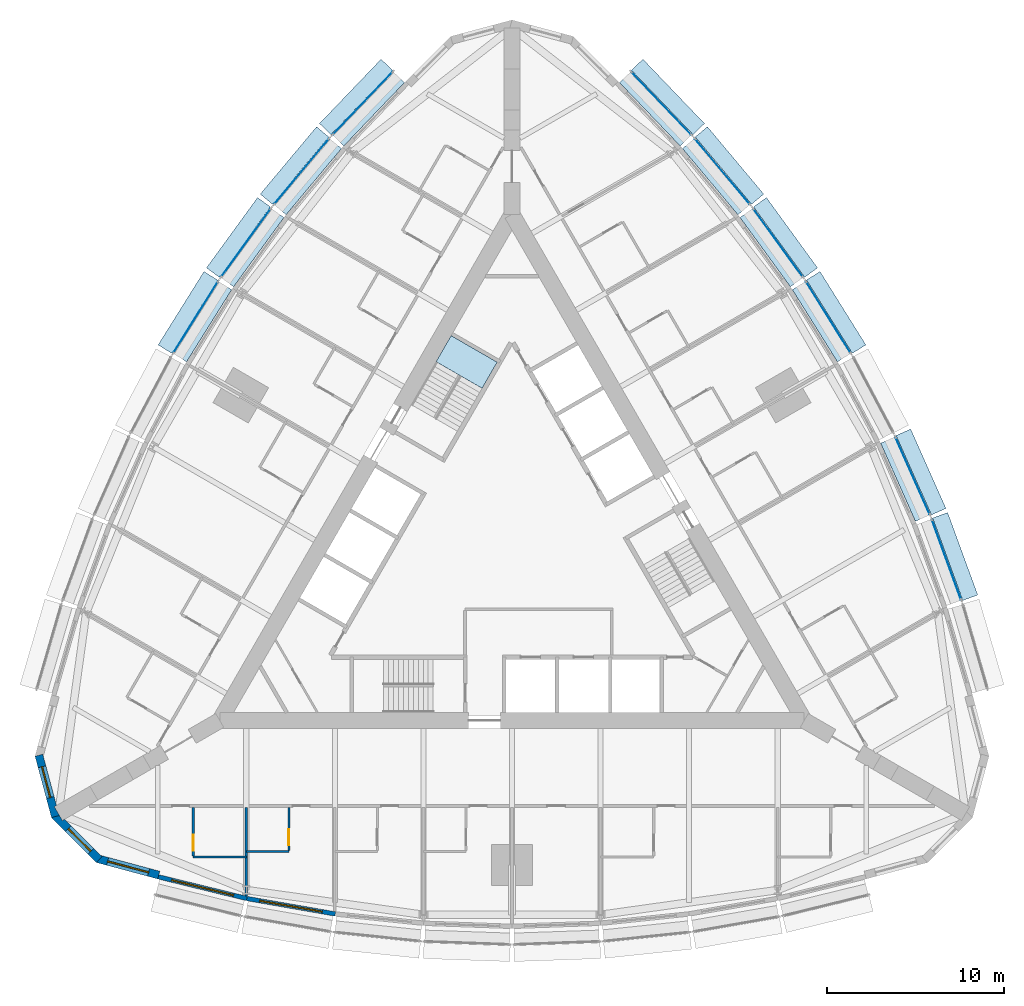
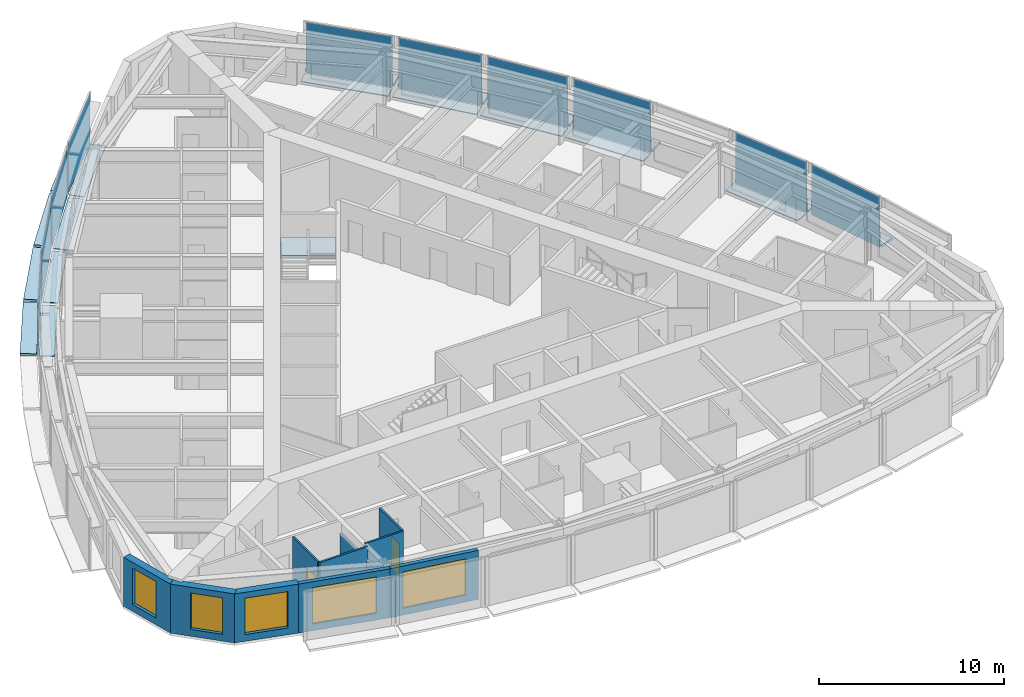
# One storey, part 7 of 14: 29 plates, 10 walls, 5 windows, 2 doors, 1 slab, 7 openings, 11 elements without a shape of their own.
"""IFC4 building model written with IfcOpenShell, lengths in metres."""

from ifc_helpers import new_model, si_unit, direction, frame, frame_2d, origin, origin_2d, place, context, subcontext, project, spatial, polyline, rectangle, outline, extrude, material, layer, layer_set, type_object, element, fill, aggregate, save


model = new_model("IFC4")

# Units and contexts
model_context = context("Model", 3, precision=1e-05, world=origin(), true_north=direction((0.0, 1.0)))
body_context = subcontext(model_context, "Body", "Model", "MODEL_VIEW")
ifc_project = project(units=[si_unit("LENGTHUNIT", "METRE"), si_unit("AREAUNIT", "SQUARE_METRE"), si_unit("VOLUMEUNIT", "CUBIC_METRE"), si_unit("PLANEANGLEUNIT", "RADIAN"), si_unit("MASSUNIT", "GRAM", prefix="KILO")], contexts=[model_context])

# Site, building, storey
site_placement = place(None, origin())
site = spatial("IfcSite", under=ifc_project, at=site_placement, CompositionType="ELEMENT")
building_placement = place(site_placement, origin())
building = spatial("IfcBuilding", under=site, at=building_placement, Name="Trikona Tower", CompositionType="ELEMENT")
storey_placement = place(building_placement, frame((0.0, 0.0, 118.10009765625)))
storey = spatial("IfcBuildingStorey", under=building, at=storey_placement, Name="L30", CompositionType="ELEMENT", Elevation=118.10009765625)

# Plates
ifc_material_1 = material(Name="Aluminium bar grating", Category="aluminium")
ifc_layer_1 = layer(ifc_material_1, 0.050048828125)
ifc_layer_set_1 = layer_set([ifc_layer_1], Name="Cavity catwalk grating")
plate_type_1 = type_object("IfcPlateType", Name="Cavity catwalk grating", PredefinedType="USERDEFINED", material=ifc_layer_set_1)
plate_1_placement = place(storey_placement, frame((22.175048828125, 4.092529296875, -0.05029296875), z_axis=(0.0, 0.0, 1.0), x_axis=(-0.406843467615, 0.913497888809, 0.0)))
element("IfcPlate", 1, at=plate_1_placement, inside=storey, type_object=plate_type_1, Name="Cavity catwalk L30-14", ObjectType="CATWALK GRATING", PredefinedType="USERDEFINED", context=body_context, shape_type="SweptSolid", body=[
    extrude(rectangle(XDim=4.827392578125, YDim=0.830078125, at=origin_2d()), origin(), (0.0, 0.0, 1.0), 0.050048828125),
])
plate_2_placement = place(storey_placement, frame((17.450927734375, 12.978759765625, -0.05029296875), z_axis=(0.0, 0.0, 1.0), x_axis=(-0.529994748414, 0.848000923734, 0.0)))
element("IfcPlate", 2, at=plate_2_placement, inside=storey, type_object=plate_type_1, Name="Cavity catwalk L30-16", ObjectType="CATWALK GRATING", PredefinedType="USERDEFINED", context=body_context, shape_type="SweptSolid", body=[
    extrude(rectangle(XDim=4.802978515625, YDim=0.830078125, at=origin_2d()), origin(), (0.0, 0.0, 1.0), 0.050048828125),
])
plate_3_placement = place(storey_placement, frame((14.6318359375, 17.157958984375, -0.05029296875), z_axis=(0.0, 0.0, 1.0), x_axis=(-0.587686407834, 0.809088799853, 0.0)))
element("IfcPlate", 3, at=plate_3_placement, inside=storey, type_object=plate_type_1, Name="Cavity catwalk L30-17", ObjectType="CATWALK GRATING", PredefinedType="USERDEFINED", context=body_context, shape_type="SweptSolid", body=[
    extrude(rectangle(XDim=4.827392578125, YDim=0.830078125, at=origin_2d()), origin(), (0.0, 0.0, 1.0), 0.050048828125),
])
plate_4_placement = place(storey_placement, frame((11.508056640625, 21.160400390625, -0.05029296875), z_axis=(0.0, 0.0, 1.0), x_axis=(-0.641807063101, 0.766866151133, 0.0)))
element("IfcPlate", 4, at=plate_4_placement, inside=storey, type_object=plate_type_1, Name="Cavity catwalk L30-18", ObjectType="CATWALK GRATING", PredefinedType="USERDEFINED", context=body_context, shape_type="SweptSolid", body=[
    extrude(rectangle(XDim=4.8759765625, YDim=0.830078125, at=origin_2d()), origin(), (0.0, 0.0, 1.0), 0.050048828125),
])
for number, where, z_axis, x_axis, name in (
    (5, (8.080078125, 24.986328125, -0.05029296875), (0.0, 0.0, 1.0), (-0.691723573819, 0.722162376078, 0.0), "Cavity catwalk L30-19"),
    (6, (-8.080078125, 24.986328125, -0.05029296875), (0.0, 0.0, 1.0), (-0.691723573819, -0.722162376078, 0.0), "Cavity catwalk L30-24"),
):
    element("IfcPlate", number, at=place(storey_placement, frame(where, z_axis=z_axis, x_axis=x_axis)), inside=storey, type_object=plate_type_1, Name=name, ObjectType="CATWALK GRATING", PredefinedType="USERDEFINED", context=body_context, shape_type="SweptSolid", body=[
        extrude(rectangle(XDim=4.947998046875, YDim=0.830078125, at=origin_2d()), origin(), (0.0, 0.0, 1.0), 0.050048828125),
    ])
plate_5_placement = place(storey_placement, frame((-11.508056640625, 21.160400390625, -0.05029296875), z_axis=(0.0, 0.0, 1.0), x_axis=(-0.641807063101, -0.766866151133, 0.0)))
element("IfcPlate", 7, at=plate_5_placement, inside=storey, type_object=plate_type_1, Name="Cavity catwalk L30-25", ObjectType="CATWALK GRATING", PredefinedType="USERDEFINED", context=body_context, shape_type="SweptSolid", body=[
    extrude(rectangle(XDim=4.8759765625, YDim=0.830078125, at=origin_2d()), origin(), (0.0, 0.0, 1.0), 0.050048828125),
])
plate_6_placement = place(storey_placement, frame((-14.6318359375, 17.157958984375, -0.05029296875), z_axis=(0.0, 0.0, 1.0), x_axis=(-0.587686407834, -0.809088799853, 0.0)))
element("IfcPlate", 8, at=plate_6_placement, inside=storey, type_object=plate_type_1, Name="Cavity catwalk L30-26", ObjectType="CATWALK GRATING", PredefinedType="USERDEFINED", context=body_context, shape_type="SweptSolid", body=[
    extrude(rectangle(XDim=4.827392578125, YDim=0.830078125, at=origin_2d()), origin(), (0.0, 0.0, 1.0), 0.050048828125),
])
plate_7_placement = place(storey_placement, frame((-17.450927734375, 12.978759765625, -0.05029296875), z_axis=(0.0, 0.0, 1.0), x_axis=(-0.529994748414, -0.848000923734, 0.0)))
element("IfcPlate", 9, at=plate_7_placement, inside=storey, type_object=plate_type_1, Name="Cavity catwalk L30-27", ObjectType="CATWALK GRATING", PredefinedType="USERDEFINED", context=body_context, shape_type="SweptSolid", body=[
    extrude(rectangle(XDim=4.802978515625, YDim=0.830078125, at=origin_2d()), origin(), (0.0, 0.0, 1.0), 0.050048828125),
])

# Curtain wall, plate
ifc_material_2 = material(Name="Aluminium curtain wall system", Category="aluminium")
curtain_wall_type = type_object("IfcCurtainWallType", Name="Curtain wall DS2", PredefinedType="NOTDEFINED", material=ifc_material_2)
curtain_wall_1_placement = place(storey_placement, origin())
curtain_wall_1 = element("IfcCurtainWall", 10, at=curtain_wall_1_placement, inside=storey, type_object=curtain_wall_type, Name="Curtain wall DS2 L30", PredefinedType="NOTDEFINED")
ifc_material_3 = material(Name="Laminated clear glass", Category="glass")
ifc_layer_2 = layer(ifc_material_3, 0.028076171875)
ifc_layer_set_2 = layer_set([ifc_layer_2], Name="Glass panel DS2")
plate_type_2 = type_object("IfcPlateType", Name="Glass panel DS2", PredefinedType="CURTAIN_PANEL", material=ifc_layer_set_2)
plate_8_placement = place(storey_placement, frame((24.53515625, -0.447509765625, 0.0), z_axis=(0.0, 0.0, 1.0), x_axis=(-0.343223420143, 0.939253790978, 0.0)))
plate_8 = element("IfcPlate", 11, at=plate_8_placement, type_object=plate_type_2, Name="CW-DS2 panel 1.1", PredefinedType="CURTAIN_PANEL", context=body_context, shape_type="SweptSolid", body=[
    extrude(rectangle(XDim=4.7958984375, YDim=0.028076171875, at=origin_2d()), origin(), (0.0, 0.0, 1.0), 3.320068359375),
])
aggregate(curtain_wall_1, [plate_8])

curtain_wall_2_placement = place(storey_placement, origin())
curtain_wall_2 = element("IfcCurtainWall", 12, at=curtain_wall_2_placement, inside=storey, type_object=curtain_wall_type, Name="Curtain wall DS2 L30", PredefinedType="NOTDEFINED")
plate_9_placement = place(storey_placement, frame((22.6181640625, 4.289794921875, 0.0), z_axis=(0.0, 0.0, 1.0), x_axis=(-0.406836013132, 0.913501208767, 0.0)))
plate_9 = element("IfcPlate", 13, at=plate_9_placement, type_object=plate_type_2, Name="CW-DS2 panel 1.1", PredefinedType="CURTAIN_PANEL", context=body_context, shape_type="SweptSolid", body=[
    extrude(rectangle(XDim=4.747314453125, YDim=0.028076171875, at=origin_2d()), origin(), (0.0, 0.0, 1.0), 3.320068359375),
])
aggregate(curtain_wall_2, [plate_9])

curtain_wall_3_placement = place(storey_placement, origin())
curtain_wall_3 = element("IfcCurtainWall", 14, at=curtain_wall_3_placement, inside=storey, type_object=curtain_wall_type, Name="Curtain wall DS2 L30", PredefinedType="NOTDEFINED")
plate_10_placement = place(storey_placement, frame((17.8623046875, 13.23583984375, 0.0), z_axis=(0.0, 0.0, 1.0), x_axis=(-0.529998940002, 0.847998304006, 0.0)))
plate_10 = element("IfcPlate", 15, at=plate_10_placement, type_object=plate_type_2, Name="CW-DS2 panel 1.1", PredefinedType="CURTAIN_PANEL", context=body_context, shape_type="SweptSolid", body=[
    extrude(rectangle(XDim=4.72314453125, YDim=0.028076171875, at=origin_2d()), origin(), (0.0, 0.0, 1.0), 3.320068359375),
])
aggregate(curtain_wall_3, [plate_10])

curtain_wall_4_placement = place(storey_placement, origin())
curtain_wall_4 = element("IfcCurtainWall", 16, at=curtain_wall_4_placement, inside=storey, type_object=curtain_wall_type, Name="Curtain wall DS2 L30", PredefinedType="NOTDEFINED")
plate_11_placement = place(storey_placement, frame((15.024169921875, 17.443115234375, 0.0), z_axis=(0.0, 0.0, 1.0), x_axis=(-0.587690588313, 0.80908576332, 0.0)))
plate_11 = element("IfcPlate", 17, at=plate_11_placement, type_object=plate_type_2, Name="CW-DS2 panel 1.1", PredefinedType="CURTAIN_PANEL", context=body_context, shape_type="SweptSolid", body=[
    extrude(rectangle(XDim=4.74755859375, YDim=0.028076171875, at=origin_2d()), origin(), (0.0, 0.0, 1.0), 3.320068359375),
])
aggregate(curtain_wall_4, [plate_11])

curtain_wall_5_placement = place(storey_placement, origin())
curtain_wall_5 = element("IfcCurtainWall", 18, at=curtain_wall_5_placement, inside=storey, type_object=curtain_wall_type, Name="Curtain wall DS2 L30", PredefinedType="NOTDEFINED")
plate_12_placement = place(storey_placement, frame((11.8798828125, 21.4716796875, 0.0), z_axis=(0.0, 0.0, 1.0), x_axis=(-0.641806433248, 0.766866678271, 0.0)))
plate_12 = element("IfcPlate", 19, at=plate_12_placement, type_object=plate_type_2, Name="CW-DS2 panel 1.1", PredefinedType="CURTAIN_PANEL", context=body_context, shape_type="SweptSolid", body=[
    extrude(rectangle(XDim=4.7958984375, YDim=0.028076171875, at=origin_2d()), origin(), (0.0, 0.0, 1.0), 3.320068359375),
])
aggregate(curtain_wall_5, [plate_12])

curtain_wall_6_placement = place(storey_placement, origin())
curtain_wall_6 = element("IfcCurtainWall", 20, at=curtain_wall_6_placement, inside=storey, type_object=curtain_wall_type, Name="Curtain wall DS2 L30", PredefinedType="NOTDEFINED")
plate_13_placement = place(storey_placement, frame((8.430419921875, 25.32177734375, 0.0), z_axis=(0.0, 0.0, 1.0), x_axis=(-0.691727797117, 0.722158330767, 0.0)))
plate_13 = element("IfcPlate", 21, at=plate_13_placement, type_object=plate_type_2, Name="CW-DS2 panel 1.1", PredefinedType="CURTAIN_PANEL", context=body_context, shape_type="SweptSolid", body=[
    extrude(rectangle(XDim=4.867919921875, YDim=0.028076171875, at=origin_2d()), origin(), (0.0, 0.0, 1.0), 3.320068359375),
])
aggregate(curtain_wall_6, [plate_13])

curtain_wall_7_placement = place(storey_placement, origin())
curtain_wall_7 = element("IfcCurtainWall", 22, at=curtain_wall_7_placement, inside=storey, type_object=curtain_wall_type, Name="Curtain wall DS2 L30", PredefinedType="NOTDEFINED")
plate_14_placement = place(storey_placement, frame((-8.430419921875, 25.32177734375, 0.0), z_axis=(0.0, 0.0, 1.0), x_axis=(-0.691727797117, -0.722158330767, 0.0)))
plate_14 = element("IfcPlate", 23, at=plate_14_placement, type_object=plate_type_2, Name="CW-DS2 panel 1.1", PredefinedType="CURTAIN_PANEL", context=body_context, shape_type="SweptSolid", body=[
    extrude(rectangle(XDim=4.867919921875, YDim=0.028076171875, at=origin_2d()), origin(), (0.0, 0.0, 1.0), 3.320068359375),
])
aggregate(curtain_wall_7, [plate_14])

curtain_wall_8_placement = place(storey_placement, origin())
curtain_wall_8 = element("IfcCurtainWall", 24, at=curtain_wall_8_placement, inside=storey, type_object=curtain_wall_type, Name="Curtain wall DS2 L30", PredefinedType="NOTDEFINED")
plate_15_placement = place(storey_placement, frame((-11.8798828125, 21.4716796875, 0.0), z_axis=(0.0, 0.0, 1.0), x_axis=(-0.641806433248, -0.766866678271, 0.0)))
plate_15 = element("IfcPlate", 25, at=plate_15_placement, type_object=plate_type_2, Name="CW-DS2 panel 1.1", PredefinedType="CURTAIN_PANEL", context=body_context, shape_type="SweptSolid", body=[
    extrude(rectangle(XDim=4.7958984375, YDim=0.028076171875, at=origin_2d()), origin(), (0.0, 0.0, 1.0), 3.320068359375),
])
aggregate(curtain_wall_8, [plate_15])

curtain_wall_9_placement = place(storey_placement, origin())
curtain_wall_9 = element("IfcCurtainWall", 26, at=curtain_wall_9_placement, inside=storey, type_object=curtain_wall_type, Name="Curtain wall DS2 L30", PredefinedType="NOTDEFINED")
plate_16_placement = place(storey_placement, frame((-15.024169921875, 17.443115234375, 0.0), z_axis=(0.0, 0.0, 1.0), x_axis=(-0.587690588313, -0.80908576332, 0.0)))
plate_16 = element("IfcPlate", 27, at=plate_16_placement, type_object=plate_type_2, Name="CW-DS2 panel 1.1", PredefinedType="CURTAIN_PANEL", context=body_context, shape_type="SweptSolid", body=[
    extrude(rectangle(XDim=4.74755859375, YDim=0.028076171875, at=origin_2d()), origin(), (0.0, 0.0, 1.0), 3.320068359375),
])
aggregate(curtain_wall_9, [plate_16])

curtain_wall_10_placement = place(storey_placement, origin())
curtain_wall_10 = element("IfcCurtainWall", 28, at=curtain_wall_10_placement, inside=storey, type_object=curtain_wall_type, Name="Curtain wall DS2 L30", PredefinedType="NOTDEFINED")
plate_17_placement = place(storey_placement, frame((-17.8623046875, 13.23583984375, 0.0), z_axis=(0.0, 0.0, 1.0), x_axis=(-0.529998940002, -0.847998304006, 0.0)))
plate_17 = element("IfcPlate", 29, at=plate_17_placement, type_object=plate_type_2, Name="CW-DS2 panel 1.1", PredefinedType="CURTAIN_PANEL", context=body_context, shape_type="SweptSolid", body=[
    extrude(rectangle(XDim=4.72314453125, YDim=0.028076171875, at=origin_2d()), origin(), (0.0, 0.0, 1.0), 3.320068359375),
])
aggregate(curtain_wall_10, [plate_17])

# Plates
ifc_material_4 = material(Name="Aluminium plate fin, pale anodised, on stainless steel outriggers", Category="steel")
ifc_layer_3 = layer(ifc_material_4, 0.14990234375)
ifc_layer_set_3 = layer_set([ifc_layer_3], Name="Outer skin fin 900")
plate_type_3 = type_object("IfcPlateType", Name="Outer skin fin 900", PredefinedType="USERDEFINED", material=ifc_layer_set_3)
plate_18_placement = place(storey_placement, frame((25.0234375, -0.26904296875, 0.0), z_axis=(0.0, 0.0, 1.0), x_axis=(-0.343220397324, 0.939254895575, 0.0)))
element("IfcPlate", 30, at=plate_18_placement, inside=storey, type_object=plate_type_3, Name="Outer skin fin L30-13", ObjectType="FIN", PredefinedType="USERDEFINED", context=body_context, shape_type="SweptSolid", body=[
    extrude(rectangle(XDim=4.9560546875, YDim=0.89990234375, at=origin_2d()), origin(), (0.0, 0.0, 1.0), 0.14990234375),
])
plate_19_placement = place(storey_placement, frame((23.09326171875, 4.50146484375, 0.0), z_axis=(0.0, 0.0, 1.0), x_axis=(-0.406843467615, 0.913497888809, 0.0)))
element("IfcPlate", 31, at=plate_19_placement, inside=storey, type_object=plate_type_3, Name="Outer skin fin L30-14", ObjectType="FIN", PredefinedType="USERDEFINED", context=body_context, shape_type="SweptSolid", body=[
    extrude(rectangle(XDim=4.907470703125, YDim=0.89990234375, at=origin_2d()), origin(), (0.0, 0.0, 1.0), 0.14990234375),
])
plate_20_placement = place(storey_placement, frame((18.30322265625, 13.511474609375, 0.0), z_axis=(0.0, 0.0, 1.0), x_axis=(-0.529994748414, 0.848000923734, 0.0)))
element("IfcPlate", 32, at=plate_20_placement, inside=storey, type_object=plate_type_3, Name="Outer skin fin L30-16", ObjectType="FIN", PredefinedType="USERDEFINED", context=body_context, shape_type="SweptSolid", body=[
    extrude(rectangle(XDim=4.883056640625, YDim=0.89990234375, at=origin_2d()), origin(), (0.0, 0.0, 1.0), 0.14990234375),
])
plate_21_placement = place(storey_placement, frame((15.44482421875, 17.74853515625, 0.0), z_axis=(0.0, 0.0, 1.0), x_axis=(-0.587686407834, 0.809088799853, 0.0)))
element("IfcPlate", 33, at=plate_21_placement, inside=storey, type_object=plate_type_3, Name="Outer skin fin L30-17", ObjectType="FIN", PredefinedType="USERDEFINED", context=body_context, shape_type="SweptSolid", body=[
    extrude(rectangle(XDim=4.907470703125, YDim=0.89990234375, at=origin_2d()), origin(), (0.0, 0.0, 1.0), 0.14990234375),
])
plate_22_placement = place(storey_placement, frame((12.27880859375, 21.8056640625, 0.0), z_axis=(0.0, 0.0, 1.0), x_axis=(-0.641807063101, 0.766866151133, 0.0)))
element("IfcPlate", 34, at=plate_22_placement, inside=storey, type_object=plate_type_3, Name="Outer skin fin L30-18", ObjectType="FIN", PredefinedType="USERDEFINED", context=body_context, shape_type="SweptSolid", body=[
    extrude(rectangle(XDim=4.9560546875, YDim=0.89990234375, at=origin_2d()), origin(), (0.0, 0.0, 1.0), 0.14990234375),
])
for number, where, z_axis, x_axis, name in (
    (35, (8.805908203125, 25.681396484375, 0.0), (0.0, 0.0, 1.0), (-0.691723573819, 0.722162376078, 0.0), "Outer skin fin L30-19"),
    (36, (-8.805908203125, 25.681396484375, 0.0), (0.0, 0.0, 1.0), (-0.691723573819, -0.722162376078, 0.0), "Outer skin fin L30-24"),
):
    element("IfcPlate", number, at=place(storey_placement, frame(where, z_axis=z_axis, x_axis=x_axis)), inside=storey, type_object=plate_type_3, Name=name, ObjectType="FIN", PredefinedType="USERDEFINED", context=body_context, shape_type="SweptSolid", body=[
        extrude(rectangle(XDim=5.02783203125, YDim=0.89990234375, at=origin_2d()), origin(), (0.0, 0.0, 1.0), 0.14990234375),
    ])
plate_23_placement = place(storey_placement, frame((-12.27880859375, 21.8056640625, 0.0), z_axis=(0.0, 0.0, 1.0), x_axis=(-0.641807063101, -0.766866151133, 0.0)))
element("IfcPlate", 37, at=plate_23_placement, inside=storey, type_object=plate_type_3, Name="Outer skin fin L30-25", ObjectType="FIN", PredefinedType="USERDEFINED", context=body_context, shape_type="SweptSolid", body=[
    extrude(rectangle(XDim=4.9560546875, YDim=0.89990234375, at=origin_2d()), origin(), (0.0, 0.0, 1.0), 0.14990234375),
])
plate_24_placement = place(storey_placement, frame((-15.44482421875, 17.74853515625, 0.0), z_axis=(0.0, 0.0, 1.0), x_axis=(-0.587686407834, -0.809088799853, 0.0)))
element("IfcPlate", 38, at=plate_24_placement, inside=storey, type_object=plate_type_3, Name="Outer skin fin L30-26", ObjectType="FIN", PredefinedType="USERDEFINED", context=body_context, shape_type="SweptSolid", body=[
    extrude(rectangle(XDim=4.907470703125, YDim=0.89990234375, at=origin_2d()), origin(), (0.0, 0.0, 1.0), 0.14990234375),
])
plate_25_placement = place(storey_placement, frame((-18.30322265625, 13.511474609375, 0.0), z_axis=(0.0, 0.0, 1.0), x_axis=(-0.529994748414, -0.848000923734, 0.0)))
element("IfcPlate", 39, at=plate_25_placement, inside=storey, type_object=plate_type_3, Name="Outer skin fin L30-27", ObjectType="FIN", PredefinedType="USERDEFINED", context=body_context, shape_type="SweptSolid", body=[
    extrude(rectangle(XDim=4.883056640625, YDim=0.89990234375, at=origin_2d()), origin(), (0.0, 0.0, 1.0), 0.14990234375),
])

# Stair, slab
ifc_material_5 = material(Name="Concrete f'c 5000 psi", Category="concrete")
stair_type = type_object("IfcStairType", Name="Core stair", PredefinedType="HALF_TURN_STAIR", material=ifc_material_5)
stair_placement = place(storey_placement, origin())
stair = element("IfcStair", 40, at=stair_placement, inside=storey, type_object=stair_type, Name="Stair C L30", PredefinedType="HALF_TURN_STAIR")
ifc_material_6 = material(Name="Concrete f'c 5000 psi", Category="concrete")
ifc_layer_4 = layer(ifc_material_6, 0.199951171875)
ifc_layer_set_4 = layer_set([ifc_layer_4], Name="Stair landing 200")
slab_type = type_object("IfcSlabType", Name="Stair landing 200", PredefinedType="LANDING", material=ifc_layer_set_4)
slab_placement = place(storey_placement, frame((0.0, 0.0, 1.5)))
slab = element("IfcSlab", 41, at=slab_placement, type_object=slab_type, Name="ST-C landing 2", PredefinedType="LANDING", context=body_context, shape_type="SweptSolid", body=[
    extrude(outline(polyline([(-0.837158203125, 10.702392578125), (-1.688720703125, 9.2275390625), (-4.286865234375, 10.7275390625), (-3.435302734375, 12.202392578125), (-0.837158203125, 10.702392578125)])), origin(), (0.0, 0.0, 1.0), 0.199951171875),
])
aggregate(stair, [slab])

# Wall
ifc_material_7 = material(Name="Metal stud and cement board", Category="gypsum")
ifc_layer_5 = layer(ifc_material_7, 0.1201171875)
ifc_layer_set_5 = layer_set([ifc_layer_5], Name="Bathroom wall 120")
wall_type_1 = type_object("IfcWallType", Name="Bathroom wall 120", PredefinedType="PLUMBINGWALL", material=ifc_layer_set_5)
wall_1_placement = place(storey_placement, frame((-18.0, -17.226318359375, 0.0), z_axis=(0.0, 0.0, 1.0), x_axis=(1.0, 0.0, 0.0)))
element("IfcWall", 42, at=wall_1_placement, inside=storey, type_object=wall_type_1, Name="Bathroom wall 3001", PredefinedType="PLUMBINGWALL", context=body_context, shape_type="SweptSolid", body=[
    extrude(rectangle(XDim=3.0, YDim=0.1201171875, at=frame_2d((1.5, 0.0))), origin(), (0.0, 0.0, 1.0), 3.23486328125),
])

# Wall, opening, door
wall_2_placement = place(storey_placement, frame((-18.0, -14.42626953125, 0.0), z_axis=(0.0, 0.0, 1.0), x_axis=(0.0, -1.0, 0.0)))
wall_2 = element("IfcWall", 43, at=wall_2_placement, inside=storey, type_object=wall_type_1, Name="Bathroom wall 3001", PredefinedType="PLUMBINGWALL", context=body_context, shape_type="SweptSolid", body=[
    extrude(rectangle(XDim=2.739990234375, YDim=0.1201171875, at=frame_2d((1.3701171875, 0.0))), origin(), (0.0, 0.0, 1.0), 3.23486328125),
])
opening_1_placement = place(wall_2_placement, frame((1.550048828125, 0.0, 0.0)))
opening_1 = element("IfcOpeningElement", 44, at=opening_1_placement, cuts=wall_2, Name="Opening D2", PredefinedType="OPENING", context=body_context, shape_type="SweptSolid", body=[
    extrude(rectangle(XDim=0.89990234375, YDim=2.1298828125, at=frame_2d((0.449951171875, 1.06494140625))), frame((0.0, 0.070068359375, 0.0), z_axis=(0.0, -1.0, 0.0), x_axis=(1.0, 0.0, 0.0)), (0.0, 0.0, 1.0), 0.14013671875),
])
ifc_material_8 = material(Name="Steel door frame with solid-core timber leaf", Category="steel")
door_type = type_object("IfcDoorType", Name="Bathroom door 900x2130", OperationType="SLIDING_TO_LEFT", PredefinedType="DOOR", material=ifc_material_8)
door_1_placement = place(opening_1_placement, origin())
door_1 = element("IfcDoor", 45, at=door_1_placement, inside=storey, type_object=door_type, Name="Bathroom door 3001", OperationType="SLIDING_TO_LEFT", OverallHeight=2.1298828125, OverallWidth=0.89990234375, PredefinedType="DOOR", context=body_context, shape_type="SweptSolid", body=[
    extrude(rectangle(XDim=0.89990234375, YDim=2.1298828125, at=frame_2d((0.449951171875, 1.06494140625))), frame((0.0, 0.02490234375, 0.0), z_axis=(0.0, -1.0, 0.0), x_axis=(1.0, 0.0, 0.0)), (0.0, 0.0, 1.0), 0.050048828125),
])
fill(opening_1, door_1)

# Wall
wall_3_placement = place(storey_placement, frame((-15.0, -16.92626953125, 0.0), z_axis=(0.0, 0.0, 1.0), x_axis=(1.0, 0.0, 0.0)))
element("IfcWall", 46, at=wall_3_placement, inside=storey, type_object=wall_type_1, Name="Bathroom wall 3002", PredefinedType="PLUMBINGWALL", context=body_context, shape_type="SweptSolid", body=[
    extrude(rectangle(XDim=2.39990234375, YDim=0.1201171875, at=frame_2d((1.199951171875, 0.0))), origin(), (0.0, 0.0, 1.0), 3.23486328125),
])

# Wall, opening, door
wall_4_placement = place(storey_placement, frame((-12.60009765625, -14.42626953125, 0.0), z_axis=(0.0, 0.0, 1.0), x_axis=(0.0, -1.0, 0.0)))
wall_4 = element("IfcWall", 47, at=wall_4_placement, inside=storey, type_object=wall_type_1, Name="Bathroom wall 3002", PredefinedType="PLUMBINGWALL", context=body_context, shape_type="SweptSolid", body=[
    extrude(rectangle(XDim=2.43994140625, YDim=0.1201171875, at=frame_2d((1.219970703125, 0.0))), origin(), (0.0, 0.0, 1.0), 3.23486328125),
])
opening_2_placement = place(wall_4_placement, frame((1.25, 0.0, 0.0)))
opening_2 = element("IfcOpeningElement", 48, at=opening_2_placement, cuts=wall_4, Name="Opening D2", PredefinedType="OPENING", context=body_context, shape_type="SweptSolid", body=[
    extrude(rectangle(XDim=0.89990234375, YDim=2.1298828125, at=frame_2d((0.449951171875, 1.06494140625))), frame((0.0, 0.070068359375, 0.0), z_axis=(0.0, -1.0, 0.0), x_axis=(1.0, 0.0, 0.0)), (0.0, 0.0, 1.0), 0.14013671875),
])
door_2_placement = place(opening_2_placement, origin())
door_2 = element("IfcDoor", 49, at=door_2_placement, inside=storey, type_object=door_type, Name="Bathroom door 3002", OperationType="SLIDING_TO_LEFT", OverallHeight=2.1298828125, OverallWidth=0.89990234375, PredefinedType="DOOR", context=body_context, shape_type="SweptSolid", body=[
    extrude(rectangle(XDim=0.89990234375, YDim=2.1298828125, at=frame_2d((0.449951171875, 1.06494140625))), frame((0.0, 0.02490234375, 0.0), z_axis=(0.0, -1.0, 0.0), x_axis=(1.0, 0.0, 0.0)), (0.0, 0.0, 1.0), 0.050048828125),
])
fill(opening_2, door_2)

# Wall, opening, window
ifc_material_9 = material(Name="Brick-faced precast concrete", Category="masonry")
ifc_layer_6 = layer(ifc_material_9, 0.449951171875)
ifc_layer_set_6 = layer_set([ifc_layer_6], Name="Brick-faced corner wall 450")
wall_type_2 = type_object("IfcWallType", Name="Brick-faced corner wall 450", PredefinedType="SOLIDWALL", material=ifc_layer_set_6)
wall_5_placement = place(storey_placement, frame((-26.7109375, -11.48876953125, 0.0), z_axis=(0.0, 0.0, 1.0), x_axis=(0.258823421857, -0.965924653531, 0.0)))
wall_5 = element("IfcWall", 50, at=wall_5_placement, inside=storey, type_object=wall_type_2, Name="External wall L30-33", PredefinedType="SOLIDWALL", context=body_context, shape_type="SweptSolid", body=[
    extrude(outline(polyline([(3.58642578125, 0.22509765625), (3.52685546875, 0.22509765625), (3.03515625, 0.09326171875), (3.0, 0.22509765625), (0.0, 0.22509765625), (0.0, -0.22509765625), (3.58642578125, -0.22509765625), (3.58642578125, 0.22509765625)])), origin(), (0.0, 0.0, 1.0), 3.23486328125),
])
opening_3_placement = place(wall_5_placement, frame((0.6748046875, 0.0, 0.449951171875)))
opening_3 = element("IfcOpeningElement", 51, at=opening_3_placement, cuts=wall_5, Name="Opening W1824", PredefinedType="OPENING", context=body_context, shape_type="SweptSolid", body=[
    extrude(rectangle(XDim=1.800048828125, YDim=2.39990234375, at=frame_2d((0.89990234375, 1.199951171875))), frame((0.0, 0.23486328125, 0.0), z_axis=(0.0, -1.0, 0.0), x_axis=(1.0, 0.0, 0.0)), (0.0, 0.0, 1.0), 0.469970703125),
])
ifc_material_10 = material(Name="Aluminium-framed double glazing", Category="aluminium")
window_type_1 = type_object("IfcWindowType", Name="Window 1800x2400", PartitioningType="SINGLE_PANEL", PredefinedType="WINDOW", material=ifc_material_10)
window_1_placement = place(opening_3_placement, origin())
window_1 = element("IfcWindow", 52, at=window_1_placement, inside=storey, type_object=window_type_1, Name="Window 3019", OverallHeight=2.39990234375, OverallWidth=1.800048828125, PartitioningType="SINGLE_PANEL", PredefinedType="WINDOW", context=body_context, shape_type="SweptSolid", body=[
    extrude(rectangle(XDim=1.800048828125, YDim=2.39990234375, at=frame_2d((0.89990234375, 1.199951171875))), frame((0.0, 0.030029296875, 0.0), z_axis=(0.0, -1.0, 0.0), x_axis=(1.0, 0.0, 0.0)), (0.0, 0.0, 1.0), 0.06005859375),
])
fill(opening_3, window_1)

wall_6_placement = place(storey_placement, frame((-25.8408203125, -14.85205078125, 0.0), z_axis=(0.0, 0.0, 1.0), x_axis=(0.707106781187, -0.707106781187, 0.0)))
wall_6 = element("IfcWall", 53, at=wall_6_placement, inside=storey, type_object=wall_type_2, Name="External wall L30-34", PredefinedType="SOLIDWALL", context=body_context, shape_type="SweptSolid", body=[
    extrude(outline(polyline([(3.586181640625, 0.22509765625), (0.58642578125, 0.22509765625), (0.551025390625, 0.09326171875), (0.05908203125, 0.22509765625), (0.0, 0.22509765625), (0.0, -0.22509765625), (3.586181640625, -0.22509765625), (3.586181640625, 0.22509765625)])), origin(), (0.0, 0.0, 1.0), 3.23486328125),
])
opening_4_placement = place(wall_6_placement, frame((1.111328125, 0.0, 0.449951171875)))
opening_4 = element("IfcOpeningElement", 54, at=opening_4_placement, cuts=wall_6, Name="Opening W1824", PredefinedType="OPENING", context=body_context, shape_type="SweptSolid", body=[
    extrude(rectangle(XDim=1.800048828125, YDim=2.39990234375, at=frame_2d((0.89990234375, 1.199951171875))), frame((0.0, 0.23486328125, 0.0), z_axis=(0.0, -1.0, 0.0), x_axis=(1.0, 0.0, 0.0)), (0.0, 0.0, 1.0), 0.469970703125),
])
window_2_placement = place(opening_4_placement, origin())
window_2 = element("IfcWindow", 55, at=window_2_placement, inside=storey, type_object=window_type_1, Name="Window 3001", OverallHeight=2.39990234375, OverallWidth=1.800048828125, PartitioningType="SINGLE_PANEL", PredefinedType="WINDOW", context=body_context, shape_type="SweptSolid", body=[
    extrude(rectangle(XDim=1.800048828125, YDim=2.39990234375, at=frame_2d((0.89990234375, 1.199951171875))), frame((0.0, 0.030029296875, 0.0), z_axis=(0.0, -1.0, 0.0), x_axis=(1.0, 0.0, 0.0)), (0.0, 0.0, 1.0), 0.06005859375),
])
fill(opening_4, window_2)

wall_7_placement = place(storey_placement, frame((-23.406005859375, -17.32958984375, 0.0), z_axis=(0.0, 0.0, 1.0), x_axis=(0.965924653531, -0.258823421857, 0.0)))
wall_7 = element("IfcWall", 56, at=wall_7_placement, inside=storey, type_object=wall_type_2, Name="External wall L30-35", PredefinedType="SOLIDWALL", context=body_context, shape_type="SweptSolid", body=[
    extrude(rectangle(XDim=3.58642578125, YDim=0.449951171875, at=frame_2d((1.793212890625, 0.0))), origin(), (0.0, 0.0, 1.0), 3.23486328125),
])
opening_5_placement = place(wall_7_placement, frame((0.593017578125, 0.0, 0.449951171875)))
opening_5 = element("IfcOpeningElement", 57, at=opening_5_placement, cuts=wall_7, Name="Opening W2424", PredefinedType="OPENING", context=body_context, shape_type="SweptSolid", body=[
    extrude(rectangle(XDim=2.39990234375, YDim=2.39990234375, at=frame_2d((1.199951171875, 1.199951171875))), frame((0.0, 0.23486328125, 0.0), z_axis=(0.0, -1.0, 0.0), x_axis=(1.0, 0.0, 0.0)), (0.0, 0.0, 1.0), 0.469970703125),
])
ifc_material_11 = material(Name="Aluminium-framed double glazing", Category="aluminium")
window_type_2 = type_object("IfcWindowType", Name="Window 2400x2400", PartitioningType="SINGLE_PANEL", PredefinedType="WINDOW", material=ifc_material_11)
window_3_placement = place(opening_5_placement, origin())
window_3 = element("IfcWindow", 58, at=window_3_placement, inside=storey, type_object=window_type_2, Name="Window 3001", OverallHeight=2.39990234375, OverallWidth=2.39990234375, PartitioningType="SINGLE_PANEL", PredefinedType="WINDOW", context=body_context, shape_type="SweptSolid", body=[
    extrude(rectangle(XDim=2.39990234375, YDim=2.39990234375, at=frame_2d((1.199951171875, 1.199951171875))), frame((0.0, 0.030029296875, 0.0), z_axis=(0.0, -1.0, 0.0), x_axis=(1.0, 0.0, 0.0)), (0.0, 0.0, 1.0), 0.06005859375),
])
fill(opening_5, window_3)

ifc_material_12 = material(Name="Insulated precast concrete spandrel panel", Category="concrete")
ifc_layer_7 = layer(ifc_material_12, 0.25)
ifc_layer_set_7 = layer_set([ifc_layer_7], Name="Inner skin wall 250")
wall_type_3 = type_object("IfcWallType", Name="Inner skin wall 250", PredefinedType="STANDARD", material=ifc_layer_set_7)
wall_8_placement = place(storey_placement, frame((-19.97021484375, -18.353759765625, 0.0), z_axis=(0.0, 0.0, 1.0), x_axis=(0.971270024053, -0.237980126011, 0.0)))
wall_8 = element("IfcWall", 59, at=wall_8_placement, inside=storey, type_object=wall_type_3, Name="External wall L30-00", PredefinedType="STANDARD", context=body_context, shape_type="SweptSolid", body=[
    extrude(rectangle(XDim=5.14794921875, YDim=0.25, at=frame_2d((2.573974609375, 0.0))), origin(), (0.0, 0.0, 1.0), 3.23486328125),
])
opening_6_placement = place(wall_8_placement, frame((0.77392578125, 0.0, 0.449951171875)))
opening_6 = element("IfcOpeningElement", 60, at=opening_6_placement, cuts=wall_8, Name="Opening W3624", PredefinedType="OPENING", context=body_context, shape_type="SweptSolid", body=[
    extrude(rectangle(XDim=3.60009765625, YDim=2.39990234375, at=frame_2d((1.800048828125, 1.199951171875))), frame((0.0, 0.135009765625, 0.0), z_axis=(0.0, -1.0, 0.0), x_axis=(1.0, 0.0, 0.0)), (0.0, 0.0, 1.0), 0.27001953125),
])
ifc_material_13 = material(Name="Aluminium-framed double glazing", Category="aluminium")
window_type_3 = type_object("IfcWindowType", Name="Window 3600x2400", PartitioningType="SINGLE_PANEL", PredefinedType="WINDOW", material=ifc_material_13)
window_4_placement = place(opening_6_placement, origin())
window_4 = element("IfcWindow", 61, at=window_4_placement, inside=storey, type_object=window_type_3, Name="Window 3001", OverallHeight=2.39990234375, OverallWidth=3.60009765625, PartitioningType="SINGLE_PANEL", PredefinedType="WINDOW", context=body_context, shape_type="SweptSolid", body=[
    extrude(rectangle(XDim=3.60009765625, YDim=2.39990234375, at=frame_2d((1.800048828125, 1.199951171875))), frame((0.0, 0.030029296875, 0.0), z_axis=(0.0, -1.0, 0.0), x_axis=(1.0, 0.0, 0.0)), (0.0, 0.0, 1.0), 0.06005859375),
])
fill(opening_6, window_4)

wall_9_placement = place(storey_placement, frame((-14.978515625, -19.5771484375, 0.0), z_axis=(0.0, 0.0, 1.0), x_axis=(0.985030467156, -0.172380331752, 0.0)))
wall_9 = element("IfcWall", 62, at=wall_9_placement, inside=storey, type_object=wall_type_3, Name="External wall L30-01", PredefinedType="STANDARD", context=body_context, shape_type="SweptSolid", body=[
    extrude(rectangle(XDim=5.075927734375, YDim=0.25, at=frame_2d((2.5380859375, 0.0))), origin(), (0.0, 0.0, 1.0), 3.23486328125),
])
opening_7_placement = place(wall_9_placement, frame((0.738037109375, 0.0, 0.449951171875)))
opening_7 = element("IfcOpeningElement", 63, at=opening_7_placement, cuts=wall_9, Name="Opening W3624", PredefinedType="OPENING", context=body_context, shape_type="SweptSolid", body=[
    extrude(rectangle(XDim=3.60009765625, YDim=2.39990234375, at=frame_2d((1.800048828125, 1.199951171875))), frame((0.0, 0.135009765625, 0.0), z_axis=(0.0, -1.0, 0.0), x_axis=(1.0, 0.0, 0.0)), (0.0, 0.0, 1.0), 0.27001953125),
])
window_5_placement = place(opening_7_placement, origin())
window_5 = element("IfcWindow", 64, at=window_5_placement, inside=storey, type_object=window_type_3, Name="Window 3002", OverallHeight=2.39990234375, OverallWidth=3.60009765625, PartitioningType="SINGLE_PANEL", PredefinedType="WINDOW", context=body_context, shape_type="SweptSolid", body=[
    extrude(rectangle(XDim=3.60009765625, YDim=2.39990234375, at=frame_2d((1.800048828125, 1.199951171875))), frame((0.0, 0.030029296875, 0.0), z_axis=(0.0, -1.0, 0.0), x_axis=(1.0, 0.0, 0.0)), (0.0, 0.0, 1.0), 0.06005859375),
])
fill(opening_7, window_5)

# Wall
ifc_material_14 = material(Name="Metal stud and gypsum board, 1-hour acoustic", Category="gypsum")
ifc_layer_8 = layer(ifc_material_14, 0.14990234375)
ifc_layer_set_8 = layer_set([ifc_layer_8], Name="Party wall 150")
wall_type_4 = type_object("IfcWallType", Name="Party wall 150", PredefinedType="PARTITIONING", material=ifc_layer_set_8)
wall_10_placement = place(storey_placement, frame((-15.0, -14.42626953125, 0.0), z_axis=(0.0, 0.0, 1.0), x_axis=(0.0, -1.0, 0.0)))
element("IfcWall", 65, at=wall_10_placement, inside=storey, type_object=wall_type_4, Name="Partition L30 F1 u-15", PredefinedType="PARTITIONING", context=body_context, shape_type="SweptSolid", body=[
    extrude(rectangle(XDim=5.0166015625, YDim=0.14990234375, at=frame_2d((2.50830078125, 0.0))), origin(), (0.0, 0.0, 1.0), 2.38916015625),
])

save(model, "model.ifc")
